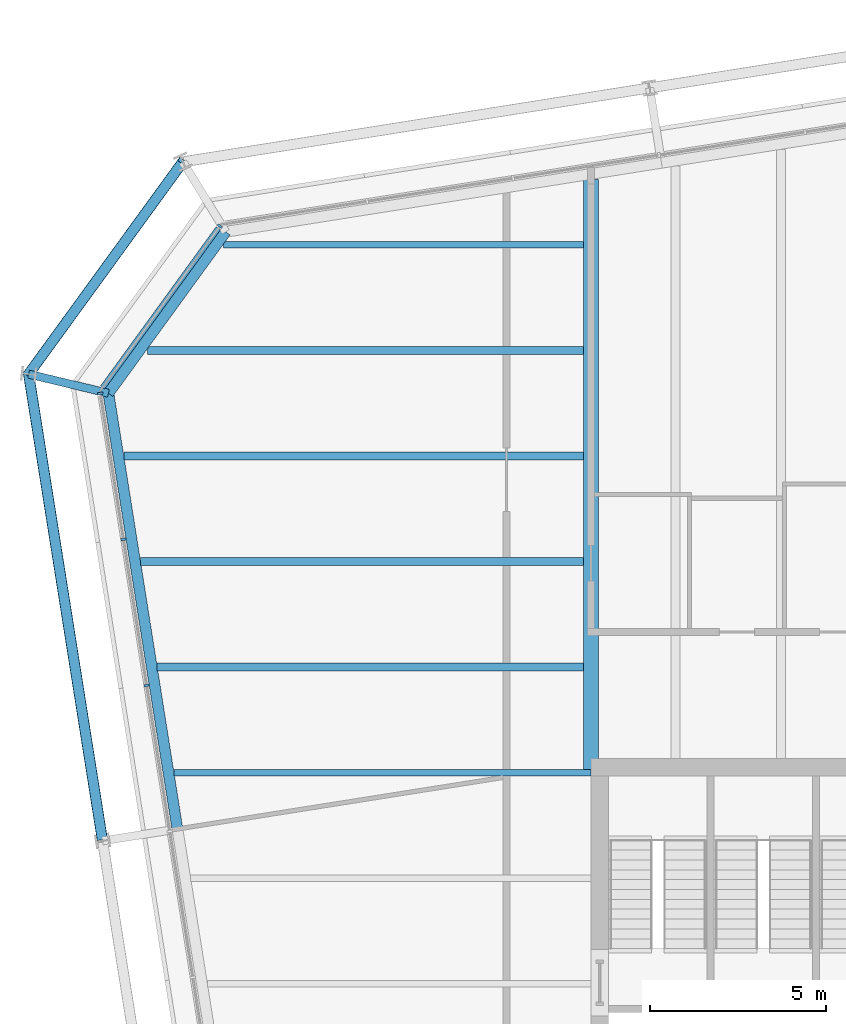
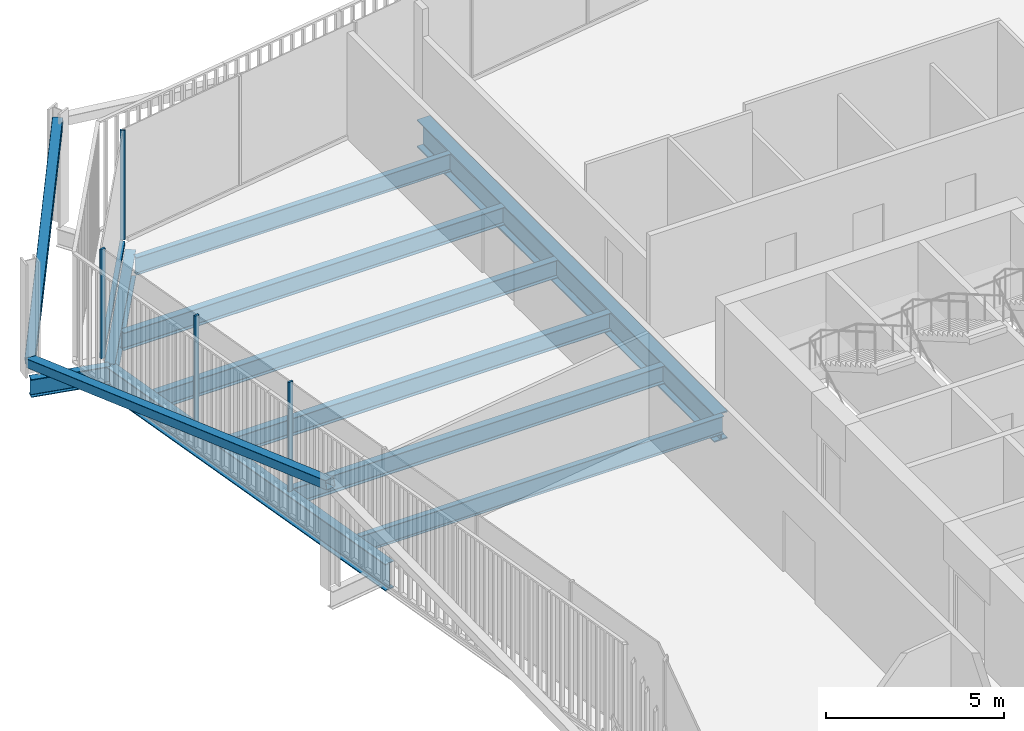
# One storey, part 11 of 21: 10 beams, 7 members, 2 elements without a shape of their own.
"""IFC4 building model written with IfcOpenShell, lengths in metres."""

from ifc_helpers import new_model, si_unit, direction, frame, origin, origin_2d, place, context, subcontext, project, spatial, rectangle, hollow_rectangle, i_section, extrude, material, layer, layer_set, material_profile, profile_set, type_object, element, aggregate, save


model = new_model("IFC4")

# Units and contexts
model_context = context("Model", 3, precision=1e-05, world=origin(), true_north=direction((0.0, 1.0)))
body_context = subcontext(model_context, "Body", "Model", "MODEL_VIEW")
ifc_project = project(units=[si_unit("LENGTHUNIT", "METRE"), si_unit("AREAUNIT", "SQUARE_METRE"), si_unit("VOLUMEUNIT", "CUBIC_METRE"), si_unit("PLANEANGLEUNIT", "RADIAN"), si_unit("MASSUNIT", "GRAM", prefix="KILO")], contexts=[model_context])

# Site, building, storey
site_placement = place(None, origin())
site = spatial("IfcSite", under=ifc_project, at=site_placement, CompositionType="ELEMENT")
building_placement = place(site_placement, origin())
building = spatial("IfcBuilding", under=site, at=building_placement, Name="Millrace Tower", CompositionType="ELEMENT")
storey_placement = place(building_placement, frame((0.0, 0.0, 263.0)))
storey = spatial("IfcBuildingStorey", under=building, at=storey_placement, Name="L60", CompositionType="ELEMENT", Elevation=263.0)

# Curtain wall, member
ifc_material_1 = material(Name="Aluminium and glass", Category="aluminium")
ifc_layer = layer(ifc_material_1, 0.14990234375)
ifc_layer_set = layer_set([ifc_layer], Name="Aluminium and glass")
curtain_wall_type = type_object("IfcCurtainWallType", Name="CW-1 office vision curtain wall", PredefinedType="NOTDEFINED", material=ifc_layer_set)
placement = place(storey_placement, origin())
curtain_wall_1 = element("IfcCurtainWall", 1, at=placement, inside=storey, type_object=curtain_wall_type, Name="Curtain wall D-F07 L60", PredefinedType="NOTDEFINED")
ifc_material_2 = material(Name="Aluminium", Category="aluminium")
ifc_material_profile_1 = material_profile(ifc_material_2, rectangle(XDim=0.06494140625, YDim=0.14990234375, at=origin_2d()))
ifc_profile_set_1 = profile_set([ifc_material_profile_1], Name="Aluminium")
member_type_1 = type_object("IfcMemberType", Name="CW-1 office vision curtain wall mullion", PredefinedType="MULLION", material=ifc_profile_set_1)
member_1_placement = place(storey_placement, frame((-24.945068359375, 24.528076171875, 0.139892578125), z_axis=(0.0, 0.0, 1.0), x_axis=(-0.587785305991, -0.809016955361, 0.0)))
member_1 = element("IfcMember", 2, at=member_1_placement, type_object=member_type_1, Name="CW1 mullion D-F07.1", PredefinedType="MULLION", context=body_context, shape_type="SweptSolid", body=[
    extrude(rectangle(XDim=0.06494140625, YDim=0.14990234375, at=origin_2d()), origin(), (0.0, 0.0, 1.0), 3.760009765625),
])

# Curtain wall, members
curtain_wall_2 = element("IfcCurtainWall", 3, at=placement, inside=storey, type_object=curtain_wall_type, Name="Curtain wall D-F08 L60", PredefinedType="NOTDEFINED")
member_2_placement = place(storey_placement, frame((-28.342529296875, 19.775390625, 0.139892578125), z_axis=(0.0, 0.0, 1.0), x_axis=(0.156434471884, -0.987688339511, 0.0)))
member_2 = element("IfcMember", 4, at=member_2_placement, type_object=member_type_1, Name="CW1 mullion D-F08.1", PredefinedType="MULLION", context=body_context, shape_type="SweptSolid", body=[
    extrude(rectangle(XDim=0.06494140625, YDim=0.14990234375, at=origin_2d()), origin(), (0.0, 0.0, 1.0), 3.760009765625),
])
member_3_placement = place(storey_placement, frame((-27.685302734375, 15.627197265625, 0.139892578125), z_axis=(0.0, 0.0, 1.0), x_axis=(0.156434471884, -0.987688339511, 0.0)))
member_3 = element("IfcMember", 5, at=member_3_placement, type_object=member_type_1, Name="CW1 mullion D-F08.2", PredefinedType="MULLION", context=body_context, shape_type="SweptSolid", body=[
    extrude(rectangle(XDim=0.06494140625, YDim=0.14990234375, at=origin_2d()), origin(), (0.0, 0.0, 1.0), 3.760009765625),
])
member_4_placement = place(storey_placement, frame((-27.0283203125, 11.47900390625, 0.139892578125), z_axis=(0.0, 0.0, 1.0), x_axis=(0.156434471884, -0.987688339511, 0.0)))
member_4 = element("IfcMember", 6, at=member_4_placement, type_object=member_type_1, Name="CW1 mullion D-F08.3", PredefinedType="MULLION", context=body_context, shape_type="SweptSolid", body=[
    extrude(rectangle(XDim=0.06494140625, YDim=0.14990234375, at=origin_2d()), origin(), (0.0, 0.0, 1.0), 3.760009765625),
])
aggregate(curtain_wall_2, [member_2, member_3, member_4])

# Member
ifc_material_3 = material(Name="Aluminium", Category="aluminium")
ifc_material_profile_2 = material_profile(ifc_material_3, rectangle(XDim=0.14990234375, YDim=0.139892578125, at=origin_2d()))
ifc_profile_set_2 = profile_set([ifc_material_profile_2], Name="Aluminium")
member_type_2 = type_object("IfcMemberType", Name="CW-1 office vision curtain wall transom", PredefinedType="USERDEFINED", material=ifc_profile_set_2)
member_5_placement = place(storey_placement, frame((-24.98486328125, 24.473388671875, 0.070068359375), z_axis=(-0.587782670904, -0.809018869857, 0.0), x_axis=(0.809018869857, -0.587782670904, 0.0)))
member_5 = element("IfcMember", 7, at=member_5_placement, type_object=member_type_2, Name="CW1 transom D-F07.1", ObjectType="TRANSOM", PredefinedType="USERDEFINED", context=body_context, shape_type="SweptSolid", body=[
    extrude(rectangle(XDim=0.14990234375, YDim=0.139892578125, at=origin_2d()), origin(), (0.0, 0.0, 1.0), 5.59814453125),
])

aggregate(curtain_wall_1, [member_1, member_5])

# Members
ifc_material_4 = material(Name="Steel ASTM A500 Grade C", Category="steel")
ifc_material_profile_3 = material_profile(ifc_material_4, hollow_rectangle(XDim=0.3046875, YDim=0.3046875, WallThickness=0.009521484375, InnerFilletRadius=0.004638671875, OuterFilletRadius=0.014404296875, at=origin_2d()))
ifc_profile_set_3 = profile_set([ifc_material_profile_3], Name="Steel ASTM A500 Grade C")
member_type_3 = type_object("IfcMemberType", Name="Exoskeleton brace HSS12x12x3/8", PredefinedType="BRACE", material=ifc_profile_set_3)
member_6_placement = place(storey_placement, frame((-30.37841796875, 20.32470703125, 0.39990234375), z_axis=(0.542740784085, 0.746998068418, 0.38396136143), x_axis=(-0.809009310944, 0.587795827483, 0.0)))
element("IfcMember", 8, at=member_6_placement, inside=storey, type_object=member_type_3, Name="BRC-D-L60-13", PredefinedType="BRACE", context=body_context, shape_type="SweptSolid", body=[
    extrude(hollow_rectangle(XDim=0.3046875, YDim=0.3046875, WallThickness=0.009521484375, InnerFilletRadius=0.004638671875, OuterFilletRadius=0.014404296875, at=origin_2d()), origin(), (0.0, 0.0, 1.0), 8.073974609375),
])
member_7_placement = place(storey_placement, frame((-30.37841796875, 20.32470703125, 0.39990234375), z_axis=(0.152418552278, -0.962376832989, 0.224943140031), x_axis=(0.987689444837, 0.156427492975, 0.0)))
element("IfcMember", 9, at=member_7_placement, inside=storey, type_object=member_type_3, Name="BRC-D-L60-14", PredefinedType="BRACE", context=body_context, shape_type="SweptSolid", body=[
    extrude(hollow_rectangle(XDim=0.3046875, YDim=0.3046875, WallThickness=0.009521484375, InnerFilletRadius=0.004638671875, OuterFilletRadius=0.014404296875, at=origin_2d()), origin(), (0.0, 0.0, 1.0), 13.78173828125),
])

# Beams
ifc_material_5 = material(Name="Steel ASTM A992 Grade 50", Category="steel")
ifc_material_profile_4 = material_profile(ifc_material_5, i_section(OverallWidth=0.1787109375, OverallDepth=0.60205078125, WebThickness=0.010986328125, FlangeThickness=0.014892578125, FilletRadius=0.0126953125, at=origin_2d()))
ifc_profile_set_4 = profile_set([ifc_material_profile_4], Name="Steel ASTM A992 Grade 50")
beam_type_1 = type_object("IfcBeamType", Name="Floor beam W24x62", PredefinedType="JOIST", material=ifc_profile_set_4)
beam_1_placement = place(storey_placement, frame((-26.248779296875, 9.0, -0.4609375), z_axis=(1.0, 0.0, 0.0), x_axis=(0.0, 1.0, 0.0)))
element("IfcBeam", 10, at=beam_1_placement, inside=storey, type_object=beam_type_1, Name="BM-D-L60-S1-S023", PredefinedType="JOIST", context=body_context, shape_type="SweptSolid", body=[
    extrude(i_section(OverallWidth=0.1787109375, OverallDepth=0.60205078125, WebThickness=0.010986328125, FlangeThickness=0.014892578125, FilletRadius=0.0126953125, at=origin_2d()), origin(), (0.0, 0.0, 1.0), 11.848876953125),
])
beam_2_placement = place(storey_placement, frame((-24.843994140625, 24.0, -0.4609375), z_axis=(1.0, 0.0, 0.0), x_axis=(0.0, 1.0, 0.0)))
element("IfcBeam", 11, at=beam_2_placement, inside=storey, type_object=beam_type_1, Name="BM-D-L60-S1-S033", PredefinedType="JOIST", context=body_context, shape_type="SweptSolid", body=[
    extrude(i_section(OverallWidth=0.1787109375, OverallDepth=0.60205078125, WebThickness=0.010986328125, FlangeThickness=0.014892578125, FilletRadius=0.0126953125, at=origin_2d()), origin(), (0.0, 0.0, 1.0), 10.234375),
])
ifc_material_6 = material(Name="Steel ASTM A992 Grade 50", Category="steel")
ifc_material_profile_5 = material_profile(ifc_material_6, i_section(OverallWidth=0.228271484375, OverallDepth=0.607177734375, WebThickness=0.01123046875, FlangeThickness=0.017333984375, FilletRadius=0.0126953125, at=origin_2d()))
ifc_profile_set_5 = profile_set([ifc_material_profile_5], Name="Steel ASTM A992 Grade 50")
beam_type_2 = type_object("IfcBeamType", Name="Floor beam W24x76", PredefinedType="JOIST", material=ifc_profile_set_5)
beam_3_placement = place(storey_placement, frame((-26.723876953125, 12.0, -0.463623046875), z_axis=(1.0, 0.0, 0.0), x_axis=(0.0, 1.0, 0.0)))
element("IfcBeam", 12, at=beam_3_placement, inside=storey, type_object=beam_type_2, Name="BM-D-L60-S1-S025", PredefinedType="JOIST", context=body_context, shape_type="SweptSolid", body=[
    extrude(i_section(OverallWidth=0.228271484375, OverallDepth=0.607177734375, WebThickness=0.01123046875, FlangeThickness=0.017333984375, FilletRadius=0.0126953125, at=origin_2d()), origin(), (0.0, 0.0, 1.0), 12.1142578125),
])
beam_4_placement = place(storey_placement, frame((-27.198974609375, 15.0, -0.463623046875), z_axis=(1.0, 0.0, 0.0), x_axis=(0.0, 1.0, 0.0)))
element("IfcBeam", 13, at=beam_4_placement, inside=storey, type_object=beam_type_2, Name="BM-D-L60-S1-S027", PredefinedType="JOIST", context=body_context, shape_type="SweptSolid", body=[
    extrude(i_section(OverallWidth=0.228271484375, OverallDepth=0.607177734375, WebThickness=0.01123046875, FlangeThickness=0.017333984375, FilletRadius=0.0126953125, at=origin_2d()), origin(), (0.0, 0.0, 1.0), 12.58935546875),
])
beam_5_placement = place(storey_placement, frame((-27.674072265625, 18.0, -0.463623046875), z_axis=(1.0, 0.0, 0.0), x_axis=(0.0, 1.0, 0.0)))
element("IfcBeam", 14, at=beam_5_placement, inside=storey, type_object=beam_type_2, Name="BM-D-L60-S1-S029", PredefinedType="JOIST", context=body_context, shape_type="SweptSolid", body=[
    extrude(i_section(OverallWidth=0.228271484375, OverallDepth=0.607177734375, WebThickness=0.01123046875, FlangeThickness=0.017333984375, FilletRadius=0.0126953125, at=origin_2d()), origin(), (0.0, 0.0, 1.0), 13.064453125),
])
beam_6_placement = place(storey_placement, frame((-27.0078125, 21.0, -0.463623046875), z_axis=(1.0, 0.0, 0.0), x_axis=(0.0, 1.0, 0.0)))
element("IfcBeam", 15, at=beam_6_placement, inside=storey, type_object=beam_type_2, Name="BM-D-L60-S1-S031", PredefinedType="JOIST", context=body_context, shape_type="SweptSolid", body=[
    extrude(i_section(OverallWidth=0.228271484375, OverallDepth=0.607177734375, WebThickness=0.01123046875, FlangeThickness=0.017333984375, FilletRadius=0.0126953125, at=origin_2d()), origin(), (0.0, 0.0, 1.0), 12.398193359375),
])
ifc_material_7 = material(Name="Steel ASTM A992 Grade 50", Category="steel")
ifc_material_profile_6 = material_profile(ifc_material_7, i_section(OverallWidth=0.424072265625, OverallDepth=0.947509765625, WebThickness=0.02392578125, FlangeThickness=0.042724609375, FilletRadius=0.024169921875, at=origin_2d()))
ifc_profile_set_6 = profile_set([ifc_material_profile_6], Name="Steel ASTM A992 Grade 50")
beam_type_3 = type_object("IfcBeamType", Name="Girder medium span W36x302", PredefinedType="BEAM", material=ifc_profile_set_6)
beam_7_placement = place(storey_placement, frame((-14.39990234375, 9.092041015625, -0.6337890625), z_axis=(0.0, 1.0, 0.0), x_axis=(-1.0, 0.0, 0.0)))
element("IfcBeam", 16, at=beam_7_placement, inside=storey, type_object=beam_type_3, Name="BM-D-L60-S1-G054", PredefinedType="BEAM", context=body_context, shape_type="SweptSolid", body=[
    extrude(i_section(OverallWidth=0.424072265625, OverallDepth=0.947509765625, WebThickness=0.02392578125, FlangeThickness=0.042724609375, FilletRadius=0.024169921875, at=origin_2d()), origin(), (0.0, 0.0, 1.0), 16.756591796875),
])
ifc_material_8 = material(Name="Steel ASTM A992 Grade 50", Category="steel")
ifc_material_profile_7 = material_profile(ifc_material_8, i_section(OverallWidth=0.23046875, OverallDepth=0.6171875, WebThickness=0.01318359375, FlangeThickness=0.022216796875, FilletRadius=0.012939453125, at=origin_2d()))
ifc_profile_set_7 = profile_set([ifc_material_profile_7], Name="Steel ASTM A992 Grade 50")
beam_type_4 = type_object("IfcBeamType", Name="Link beam W24x94", PredefinedType="BEAM", material=ifc_profile_set_7)
beam_8_placement = place(storey_placement, frame((-28.11181640625, 19.780517578125, -0.468505859375), z_axis=(-0.972367333652, 0.233456138164, 0.0), x_axis=(-0.233456138164, -0.972367333652, 0.0)))
element("IfcBeam", 17, at=beam_8_placement, inside=storey, type_object=beam_type_4, Name="LNK-D-L60-S1-04", PredefinedType="BEAM", context=body_context, shape_type="SweptSolid", body=[
    extrude(i_section(OverallWidth=0.23046875, OverallDepth=0.6171875, WebThickness=0.01318359375, FlangeThickness=0.022216796875, FilletRadius=0.012939453125, at=origin_2d()), origin(), (0.0, 0.0, 1.0), 2.3310546875),
])
ifc_material_9 = material(Name="Steel ASTM A992 Grade 50", Category="steel")
ifc_material_profile_8 = material_profile(ifc_material_9, i_section(OverallWidth=0.307373046875, OverallDepth=0.927001953125, WebThickness=0.01953125, FlangeThickness=0.031982421875, FilletRadius=0.01904296875, at=origin_2d()))
ifc_profile_set_8 = profile_set([ifc_material_profile_8], Name="Steel ASTM A992 Grade 50")
beam_type_5 = type_object("IfcBeamType", Name="Ring beam medium span W36x194", PredefinedType="SPANDREL", material=ifc_profile_set_8)
beam_9_placement = place(storey_placement, frame((-26.150634765625, 7.3984375, -0.62353515625), z_axis=(-0.156438575049, 0.987687689625, 0.0), x_axis=(-0.987687689625, -0.156438575049, 0.0)))
element("IfcBeam", 18, at=beam_9_placement, inside=storey, type_object=beam_type_5, Name="RNG-D-L60-S1-03", PredefinedType="SPANDREL", context=body_context, shape_type="SweptSolid", body=[
    extrude(i_section(OverallWidth=0.307373046875, OverallDepth=0.927001953125, WebThickness=0.01953125, FlangeThickness=0.031982421875, FilletRadius=0.01904296875, at=origin_2d()), origin(), (0.0, 0.0, 1.0), 12.536376953125),
])
ifc_material_10 = material(Name="Steel ASTM A992 Grade 50", Category="steel")
ifc_material_profile_9 = material_profile(ifc_material_10, i_section(OverallWidth=0.307373046875, OverallDepth=0.927001953125, WebThickness=0.01953125, FlangeThickness=0.031982421875, FilletRadius=0.01904296875, at=origin_2d()))
ifc_profile_set_9 = profile_set([ifc_material_profile_9], Name="Steel ASTM A992 Grade 50")
beam_type_6 = type_object("IfcBeamType", Name="Ring beam short span W36x194", PredefinedType="SPANDREL", material=ifc_profile_set_9)
beam_10_placement = place(storey_placement, frame((-28.11181640625, 19.780517578125, -0.62353515625), z_axis=(0.587808154511, 0.809000354444, 0.0), x_axis=(-0.809000354444, 0.587808154511, 0.0)))
element("IfcBeam", 19, at=beam_10_placement, inside=storey, type_object=beam_type_6, Name="RNG-D-L60-S1-04", PredefinedType="SPANDREL", context=body_context, shape_type="SweptSolid", body=[
    extrude(i_section(OverallWidth=0.307373046875, OverallDepth=0.927001953125, WebThickness=0.01953125, FlangeThickness=0.031982421875, FilletRadius=0.01904296875, at=origin_2d()), origin(), (0.0, 0.0, 1.0), 5.671142578125),
])

save(model, "model.ifc")
